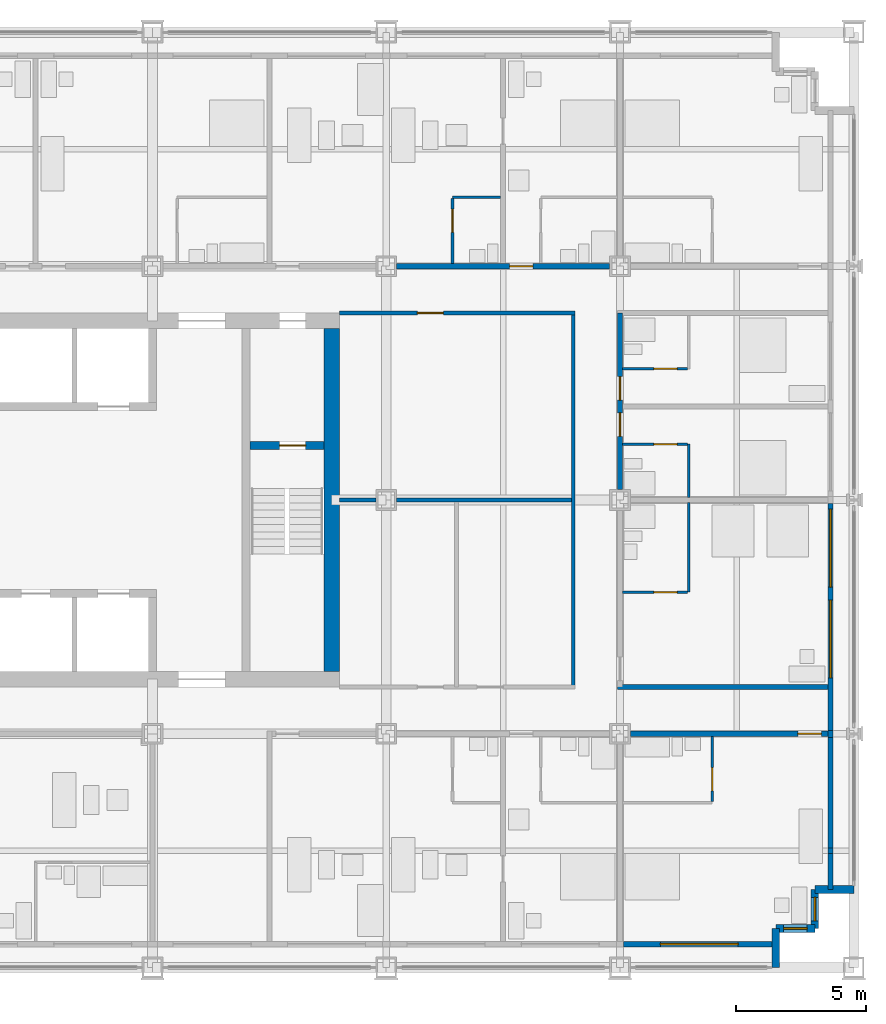
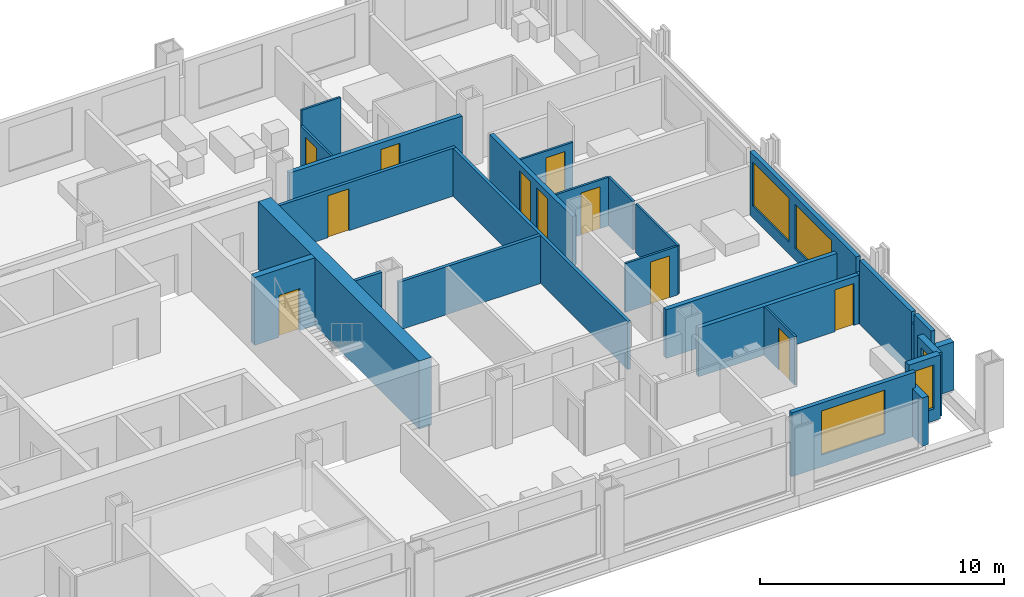
# One storey, part 13 of 18: 28 walls, 11 doors, 5 windows, 16 openings.
"""IFC4 building model written with IfcOpenShell, lengths in metres."""

from ifc_helpers import new_model, si_unit, direction, frame, frame_2d, origin, place, context, subcontext, project, spatial, rectangle, extrude, material, layer, layer_set, type_object, element, fill, save


model = new_model("IFC4")

# Units and contexts
model_context = context("Model", 3, precision=1e-05, world=origin(), true_north=direction((0.0, 1.0)))
body_context = subcontext(model_context, "Body", "Model", "MODEL_VIEW")
ifc_project = project(units=[si_unit("LENGTHUNIT", "METRE"), si_unit("AREAUNIT", "SQUARE_METRE"), si_unit("VOLUMEUNIT", "CUBIC_METRE"), si_unit("PLANEANGLEUNIT", "RADIAN"), si_unit("MASSUNIT", "GRAM", prefix="KILO")], contexts=[model_context])

# Site, building, storey
site_placement = place(None, origin())
site = spatial("IfcSite", under=ifc_project, at=site_placement, CompositionType="ELEMENT")
building_placement = place(site_placement, origin())
building = spatial("IfcBuilding", under=site, at=building_placement, Name="Loomwork Tower", CompositionType="ELEMENT")
storey_placement = place(building_placement, frame((0.0, 0.0, 75.60009765625)))
storey = spatial("IfcBuildingStorey", under=building, at=storey_placement, Name="L19", CompositionType="ELEMENT", Elevation=75.60009765625)

# Wall, opening, door
ifc_material_1 = material(Name="Concrete 14000 psi (97 MPa)", Category="concrete")
ifc_layer_1 = layer(ifc_material_1, 0.300048828125)
ifc_layer_set_1 = layer_set([ifc_layer_1], Name="Core shear wall 300")
wall_type_1 = type_object("IfcWallType", Name="Core shear wall 300", PredefinedType="SHEAR", material=ifc_layer_set_1)
wall_1_placement = place(storey_placement, frame((30.75, 20.10009765625, 0.0), z_axis=(0.0, 0.0, 1.0), x_axis=(1.0, 0.0, 0.0)))
wall_1 = element("IfcWall", 1, at=wall_1_placement, inside=storey, type_object=wall_type_1, Name="Stair B north wall L19", PredefinedType="SHEAR", context=body_context, shape_type="SweptSolid", body=[
    extrude(rectangle(XDim=2.85009765625, YDim=0.300048828125, at=frame_2d((1.425048828125, 0.0))), origin(), (0.0, 0.0, 1.0), 3.39990234375),
])
opening_1_placement = place(wall_1_placement, frame((1.14990234375, 0.0, 0.0)))
opening_1 = element("IfcOpeningElement", 2, at=opening_1_placement, cuts=wall_1, Name="Opening D4", PredefinedType="OPENING", context=body_context, shape_type="SweptSolid", body=[
    extrude(rectangle(XDim=1.0, YDim=2.10009765625, at=frame_2d((0.5, 1.050048828125))), frame((0.0, 0.159912109375, 0.0), z_axis=(0.0, -1.0, 0.0), x_axis=(1.0, 0.0, 0.0)), (0.0, 0.0, 1.0), 0.320068359375),
])
ifc_material_2 = material(Name="Hollow metal door and frame")
door_type_1 = type_object("IfcDoorType", Name="Stair door 1000", OperationType="SINGLE_SWING_RIGHT", PredefinedType="DOOR", material=ifc_material_2)
door_1_placement = place(opening_1_placement, frame((1.0, 0.0, 0.0), z_axis=(0.0, 0.0, 1.0), x_axis=(-1.0, 0.0, 0.0)))
door_1 = element("IfcDoor", 3, at=door_1_placement, inside=storey, type_object=door_type_1, Name="Stair B door", OperationType="SINGLE_SWING_LEFT", OverallHeight=2.10009765625, OverallWidth=1.0, PredefinedType="DOOR", context=body_context, shape_type="SweptSolid", body=[
    extrude(rectangle(XDim=1.0, YDim=2.10009765625, at=frame_2d((0.5, 1.050048828125))), frame((0.0, 0.02490234375, 0.0), z_axis=(0.0, -1.0, 0.0), x_axis=(1.0, 0.0, 0.0)), (0.0, 0.0, 1.0), 0.050048828125),
])
fill(opening_1, door_1)

# Wall
ifc_material_3 = material(Name="Concrete 14000 psi (97 MPa)", Category="concrete")
ifc_layer_2 = layer(ifc_material_3, 0.60009765625)
ifc_layer_set_2 = layer_set([ifc_layer_2], Name="Core shear wall 600")
wall_type_2 = type_object("IfcWallType", Name="Core shear wall 600", PredefinedType="SHEAR", material=ifc_layer_set_2)
wall_2_placement = place(storey_placement, frame((33.89990234375, 11.39990234375, 0.0), z_axis=(0.0, 0.0, 1.0), x_axis=(0.0, 1.0, 0.0)))
element("IfcWall", 4, at=wall_2_placement, inside=storey, type_object=wall_type_2, Name="Core wall east L19", PredefinedType="SHEAR", context=body_context, shape_type="SweptSolid", body=[
    extrude(rectangle(XDim=13.2001953125, YDim=0.60009765625, at=frame_2d((6.60009765625, 0.0))), origin(), (0.0, 0.0, 1.0), 3.39990234375),
])

# Wall, opening, door
ifc_material_4 = material(Name="Gypsum board on steel studs, one-hour", Category="steel")
ifc_layer_3 = layer(ifc_material_4, 0.199951171875)
ifc_layer_set_3 = layer_set([ifc_layer_3], Name="Corridor wall 200")
wall_type_3 = type_object("IfcWallType", Name="Corridor wall 200", PredefinedType="PARTITIONING", material=ifc_layer_set_3)
wall_3_placement = place(storey_placement, frame((45.39990234375, 9.0, 0.0), z_axis=(0.0, 0.0, 1.0), x_axis=(1.0, 0.0, 0.0)))
wall_3 = element("IfcWall", 5, at=wall_3_placement, inside=storey, type_object=wall_type_3, Name="South corridor wall 6", PredefinedType="PARTITIONING", context=body_context, shape_type="SweptSolid", body=[
    extrude(rectangle(XDim=7.60009765625, YDim=0.199951171875, at=frame_2d((3.800048828125, 0.0))), origin(), (0.0, 0.0, 1.0), 2.43798828125),
])
opening_2_placement = place(wall_3_placement, frame((6.449951171875, 0.0, 0.0)))
opening_2 = element("IfcOpeningElement", 6, at=opening_2_placement, cuts=wall_3, Name="Opening D1", PredefinedType="OPENING", context=body_context, shape_type="SweptSolid", body=[
    extrude(rectangle(XDim=0.89990234375, YDim=2.10009765625, at=frame_2d((0.449951171875, 1.050048828125))), frame((0.0, 0.10986328125, 0.0), z_axis=(0.0, -1.0, 0.0), x_axis=(1.0, 0.0, 0.0)), (0.0, 0.0, 1.0), 0.219970703125),
])
ifc_material_5 = material(Name="Hollow metal door and frame")
door_type_2 = type_object("IfcDoorType", Name="Guest room entry door 900", OperationType="SINGLE_SWING_LEFT", PredefinedType="DOOR", material=ifc_material_5)
door_2_placement = place(opening_2_placement, frame((0.89990234375, 0.0, 0.0), z_axis=(0.0, 0.0, 1.0), x_axis=(-1.0, 0.0, 0.0)))
door_2 = element("IfcDoor", 7, at=door_2_placement, inside=storey, type_object=door_type_2, Name="Guest room entry door L19 6", OperationType="SINGLE_SWING_LEFT", OverallHeight=2.10009765625, OverallWidth=0.89990234375, PredefinedType="DOOR", context=body_context, shape_type="SweptSolid", body=[
    extrude(rectangle(XDim=0.89990234375, YDim=2.10009765625, at=frame_2d((0.449951171875, 1.050048828125))), frame((0.0, 0.02490234375, 0.0), z_axis=(0.0, -1.0, 0.0), x_axis=(1.0, 0.0, 0.0)), (0.0, 0.0, 1.0), 0.050048828125),
])
fill(opening_2, door_2)

wall_4_placement = place(storey_placement, frame((36.39990234375, 27.0, 0.0), z_axis=(0.0, 0.0, 1.0), x_axis=(1.0, 0.0, 0.0)))
wall_4 = element("IfcWall", 8, at=wall_4_placement, inside=storey, type_object=wall_type_3, Name="North corridor wall 5", PredefinedType="PARTITIONING", context=body_context, shape_type="SweptSolid", body=[
    extrude(rectangle(XDim=8.2001953125, YDim=0.199951171875, at=frame_2d((4.10009765625, 0.0))), origin(), (0.0, 0.0, 1.0), 2.43798828125),
])
opening_3_placement = place(wall_4_placement, frame((4.35009765625, 0.0, 0.0)))
opening_3 = element("IfcOpeningElement", 9, at=opening_3_placement, cuts=wall_4, Name="Opening D1", PredefinedType="OPENING", context=body_context, shape_type="SweptSolid", body=[
    extrude(rectangle(XDim=0.89990234375, YDim=2.10009765625, at=frame_2d((0.449951171875, 1.050048828125))), frame((0.0, 0.10986328125, 0.0), z_axis=(0.0, -1.0, 0.0), x_axis=(1.0, 0.0, 0.0)), (0.0, 0.0, 1.0), 0.219970703125),
])
door_3_placement = place(opening_3_placement, origin())
door_3 = element("IfcDoor", 10, at=door_3_placement, inside=storey, type_object=door_type_2, Name="Guest room entry door L19 12", OperationType="SINGLE_SWING_LEFT", OverallHeight=2.10009765625, OverallWidth=0.89990234375, PredefinedType="DOOR", context=body_context, shape_type="SweptSolid", body=[
    extrude(rectangle(XDim=0.89990234375, YDim=2.10009765625, at=frame_2d((0.449951171875, 1.050048828125))), frame((0.0, 0.02490234375, 0.0), z_axis=(0.0, -1.0, 0.0), x_axis=(1.0, 0.0, 0.0)), (0.0, 0.0, 1.0), 0.050048828125),
])
fill(opening_3, door_3)

# Wall, openings, doors
wall_5_placement = place(storey_placement, frame((45.0, 18.39990234375, 0.0), z_axis=(0.0, 0.0, 1.0), x_axis=(0.0, 1.0, 0.0)))
wall_5 = element("IfcWall", 11, at=wall_5_placement, inside=storey, type_object=wall_type_3, Name="East corridor wall 2", PredefinedType="PARTITIONING", context=body_context, shape_type="SweptSolid", body=[
    extrude(rectangle(XDim=6.800048828125, YDim=0.199951171875, at=frame_2d((3.39990234375, 0.0))), origin(), (0.0, 0.0, 1.0), 2.43798828125),
])
opening_4_placement = place(wall_5_placement, frame((2.050048828125, 0.0, 0.0)))
opening_4 = element("IfcOpeningElement", 12, at=opening_4_placement, cuts=wall_5, Name="Opening D1", PredefinedType="OPENING", context=body_context, shape_type="SweptSolid", body=[
    extrude(rectangle(XDim=0.89990234375, YDim=2.10009765625, at=frame_2d((0.449951171875, 1.050048828125))), frame((0.0, 0.10986328125, 0.0), z_axis=(0.0, -1.0, 0.0), x_axis=(1.0, 0.0, 0.0)), (0.0, 0.0, 1.0), 0.219970703125),
])
opening_5_placement = place(wall_5_placement, frame((3.449951171875, 0.0, 0.0)))
opening_5 = element("IfcOpeningElement", 13, at=opening_5_placement, cuts=wall_5, Name="Opening D1", PredefinedType="OPENING", context=body_context, shape_type="SweptSolid", body=[
    extrude(rectangle(XDim=0.89990234375, YDim=2.10009765625, at=frame_2d((0.449951171875, 1.050048828125))), frame((0.0, 0.10986328125, 0.0), z_axis=(0.0, -1.0, 0.0), x_axis=(1.0, 0.0, 0.0)), (0.0, 0.0, 1.0), 0.219970703125),
])
door_4_placement = place(opening_4_placement, frame((0.89990234375, 0.0, 0.0), z_axis=(0.0, 0.0, 1.0), x_axis=(-1.0, 0.0, 0.0)))
door_4 = element("IfcDoor", 14, at=door_4_placement, inside=storey, type_object=door_type_2, Name="Guest room entry door L19 17", OperationType="SINGLE_SWING_LEFT", OverallHeight=2.10009765625, OverallWidth=0.89990234375, PredefinedType="DOOR", context=body_context, shape_type="SweptSolid", body=[
    extrude(rectangle(XDim=0.89990234375, YDim=2.10009765625, at=frame_2d((0.449951171875, 1.050048828125))), frame((0.0, 0.02490234375, 0.0), z_axis=(0.0, -1.0, 0.0), x_axis=(1.0, 0.0, 0.0)), (0.0, 0.0, 1.0), 0.050048828125),
])
fill(opening_4, door_4)
door_5_placement = place(opening_5_placement, frame((0.89990234375, 0.0, 0.0), z_axis=(0.0, 0.0, 1.0), x_axis=(-1.0, 0.0, 0.0)))
door_5 = element("IfcDoor", 15, at=door_5_placement, inside=storey, type_object=door_type_2, Name="Guest room entry door L19 18", OperationType="SINGLE_SWING_RIGHT", OverallHeight=2.10009765625, OverallWidth=0.89990234375, PredefinedType="DOOR", context=body_context, shape_type="SweptSolid", body=[
    extrude(rectangle(XDim=0.89990234375, YDim=2.10009765625, at=frame_2d((0.449951171875, 1.050048828125))), frame((0.0, 0.02490234375, 0.0), z_axis=(0.0, -1.0, 0.0), x_axis=(1.0, 0.0, 0.0)), (0.0, 0.0, 1.0), 0.050048828125),
])
fill(opening_5, door_5)

# Wall
wall_6_placement = place(storey_placement, frame((44.89990234375, 10.800048828125, 0.0), z_axis=(0.0, 0.0, 1.0), x_axis=(1.0, 0.0, 0.0)))
element("IfcWall", 16, at=wall_6_placement, inside=storey, type_object=wall_type_3, Name="East band end wall S", PredefinedType="PARTITIONING", context=body_context, shape_type="SweptSolid", body=[
    extrude(rectangle(XDim=8.10009765625, YDim=0.199951171875, at=frame_2d((4.050048828125, 0.0))), origin(), (0.0, 0.0, 1.0), 2.43798828125),
])

# Wall, opening, door
ifc_material_6 = material(Name="Cement board on steel studs", Category="steel")
ifc_layer_4 = layer(ifc_material_6, 0.10009765625)
ifc_layer_set_4 = layer_set([ifc_layer_4], Name="En-suite partition 100")
wall_type_4 = type_object("IfcWallType", Name="En-suite partition 100", PredefinedType="PARTITIONING", material=ifc_layer_set_4)
wall_7_placement = place(storey_placement, frame((48.550048828125, 8.89990234375, 0.0), z_axis=(0.0, 0.0, 1.0), x_axis=(0.0, -1.0, 0.0)))
wall_7 = element("IfcWall", 17, at=wall_7_placement, inside=storey, type_object=wall_type_4, Name="En-suite side wall L19 room 6", PredefinedType="PARTITIONING", context=body_context, shape_type="SweptSolid", body=[
    extrude(rectangle(XDim=2.5, YDim=0.10009765625, at=frame_2d((1.25, 0.0))), origin(), (0.0, 0.0, 1.0), 2.43798828125),
])
opening_6_placement = place(wall_7_placement, frame((1.199951171875, 0.0, 0.0)))
opening_6 = element("IfcOpeningElement", 18, at=opening_6_placement, cuts=wall_7, Name="Opening D2", PredefinedType="OPENING", context=body_context, shape_type="SweptSolid", body=[
    extrude(rectangle(XDim=0.89990234375, YDim=2.10009765625, at=frame_2d((0.449951171875, 1.050048828125))), frame((0.0, 0.06005859375, 0.0), z_axis=(0.0, -1.0, 0.0), x_axis=(1.0, 0.0, 0.0)), (0.0, 0.0, 1.0), 0.1201171875),
])
ifc_material_7 = material(Name="Hollow metal door and frame")
door_type_3 = type_object("IfcDoorType", Name="En-suite door 900", OperationType="SINGLE_SWING_LEFT", PredefinedType="DOOR", material=ifc_material_7)
door_6_placement = place(opening_6_placement, frame((0.89990234375, 0.0, 0.0), z_axis=(0.0, 0.0, 1.0), x_axis=(-1.0, 0.0, 0.0)))
door_6 = element("IfcDoor", 19, at=door_6_placement, inside=storey, type_object=door_type_3, Name="En-suite door room 6", OperationType="SINGLE_SWING_LEFT", OverallHeight=2.10009765625, OverallWidth=0.89990234375, PredefinedType="DOOR", context=body_context, shape_type="SweptSolid", body=[
    extrude(rectangle(XDim=0.89990234375, YDim=2.10009765625, at=frame_2d((0.449951171875, 1.050048828125))), frame((0.0, 0.02490234375, 0.0), z_axis=(0.0, -1.0, 0.0), x_axis=(1.0, 0.0, 0.0)), (0.0, 0.0, 1.0), 0.050048828125),
])
fill(opening_6, door_6)

# Wall
wall_8_placement = place(storey_placement, frame((38.550048828125, 29.64990234375, 0.0), z_axis=(0.0, 0.0, 1.0), x_axis=(1.0, 0.0, 0.0)))
element("IfcWall", 20, at=wall_8_placement, inside=storey, type_object=wall_type_4, Name="En-suite wall L19 room 11", PredefinedType="PARTITIONING", context=body_context, shape_type="SweptSolid", body=[
    extrude(rectangle(XDim=1.849853515625, YDim=0.10009765625, at=frame_2d((0.9248046875, 0.0))), origin(), (0.0, 0.0, 1.0), 3.199951171875),
])

# Wall, opening, door
wall_9_placement = place(storey_placement, frame((38.550048828125, 27.10009765625, 0.0), z_axis=(0.0, 0.0, 1.0), x_axis=(0.0, 1.0, 0.0)))
wall_9 = element("IfcWall", 21, at=wall_9_placement, inside=storey, type_object=wall_type_4, Name="En-suite side wall L19 room 11", PredefinedType="PARTITIONING", context=body_context, shape_type="SweptSolid", body=[
    extrude(rectangle(XDim=2.5, YDim=0.10009765625, at=frame_2d((1.25, 0.0))), origin(), (0.0, 0.0, 1.0), 2.43798828125),
])
opening_7_placement = place(wall_9_placement, frame((1.199951171875, 0.0, 0.0)))
opening_7 = element("IfcOpeningElement", 22, at=opening_7_placement, cuts=wall_9, Name="Opening D2", PredefinedType="OPENING", context=body_context, shape_type="SweptSolid", body=[
    extrude(rectangle(XDim=0.89990234375, YDim=2.10009765625, at=frame_2d((0.449951171875, 1.050048828125))), frame((0.0, 0.06005859375, 0.0), z_axis=(0.0, -1.0, 0.0), x_axis=(1.0, 0.0, 0.0)), (0.0, 0.0, 1.0), 0.1201171875),
])
door_7_placement = place(opening_7_placement, frame((0.89990234375, 0.0, 0.0), z_axis=(0.0, 0.0, 1.0), x_axis=(-1.0, 0.0, 0.0)))
door_7 = element("IfcDoor", 23, at=door_7_placement, inside=storey, type_object=door_type_3, Name="Suite powder room door room 11", OperationType="SINGLE_SWING_LEFT", OverallHeight=2.10009765625, OverallWidth=0.89990234375, PredefinedType="DOOR", context=body_context, shape_type="SweptSolid", body=[
    extrude(rectangle(XDim=0.89990234375, YDim=2.10009765625, at=frame_2d((0.449951171875, 1.050048828125))), frame((0.0, 0.02490234375, 0.0), z_axis=(0.0, -1.0, 0.0), x_axis=(1.0, 0.0, 0.0)), (0.0, 0.0, 1.0), 0.050048828125),
])
fill(opening_7, door_7)

# Wall
wall_10_placement = place(storey_placement, frame((47.64990234375, 14.449951171875, 0.0), z_axis=(0.0, 0.0, 1.0), x_axis=(0.0, 1.0, 0.0)))
element("IfcWall", 24, at=wall_10_placement, inside=storey, type_object=wall_type_4, Name="En-suite wall L19 room 16", PredefinedType="PARTITIONING", context=body_context, shape_type="SweptSolid", body=[
    extrude(rectangle(XDim=3.449951171875, YDim=0.10009765625, at=frame_2d((1.72509765625, 0.0))), origin(), (0.0, 0.0, 1.0), 2.43798828125),
])

# Wall, opening, door
wall_11_placement = place(storey_placement, frame((45.10009765625, 14.449951171875, 0.0), z_axis=(0.0, 0.0, 1.0), x_axis=(1.0, 0.0, 0.0)))
wall_11 = element("IfcWall", 25, at=wall_11_placement, inside=storey, type_object=wall_type_4, Name="En-suite side wall L19 room 16", PredefinedType="PARTITIONING", context=body_context, shape_type="SweptSolid", body=[
    extrude(rectangle(XDim=2.5, YDim=0.10009765625, at=frame_2d((1.25, 0.0))), origin(), (0.0, 0.0, 1.0), 2.43798828125),
])
opening_8_placement = place(wall_11_placement, frame((1.199951171875, 0.0, 0.0)))
opening_8 = element("IfcOpeningElement", 26, at=opening_8_placement, cuts=wall_11, Name="Opening D2", PredefinedType="OPENING", context=body_context, shape_type="SweptSolid", body=[
    extrude(rectangle(XDim=0.89990234375, YDim=2.10009765625, at=frame_2d((0.449951171875, 1.050048828125))), frame((0.0, 0.06005859375, 0.0), z_axis=(0.0, -1.0, 0.0), x_axis=(1.0, 0.0, 0.0)), (0.0, 0.0, 1.0), 0.1201171875),
])
door_8_placement = place(opening_8_placement, origin())
door_8 = element("IfcDoor", 27, at=door_8_placement, inside=storey, type_object=door_type_3, Name="En-suite door room 16", OperationType="SINGLE_SWING_RIGHT", OverallHeight=2.10009765625, OverallWidth=0.89990234375, PredefinedType="DOOR", context=body_context, shape_type="SweptSolid", body=[
    extrude(rectangle(XDim=0.89990234375, YDim=2.10009765625, at=frame_2d((0.449951171875, 1.050048828125))), frame((0.0, 0.02490234375, 0.0), z_axis=(0.0, -1.0, 0.0), x_axis=(1.0, 0.0, 0.0)), (0.0, 0.0, 1.0), 0.050048828125),
])
fill(opening_8, door_8)

# Wall
wall_12_placement = place(storey_placement, frame((47.64990234375, 18.10009765625, 0.0), z_axis=(0.0, 0.0, 1.0), x_axis=(0.0, 1.0, 0.0)))
element("IfcWall", 28, at=wall_12_placement, inside=storey, type_object=wall_type_4, Name="En-suite wall L19 room 17", PredefinedType="PARTITIONING", context=body_context, shape_type="SweptSolid", body=[
    extrude(rectangle(XDim=2.0498046875, YDim=0.10009765625, at=frame_2d((1.02490234375, 0.0))), origin(), (0.0, 0.0, 1.0), 2.43798828125),
])

# Wall, opening, door
wall_13_placement = place(storey_placement, frame((45.10009765625, 20.14990234375, 0.0), z_axis=(0.0, 0.0, 1.0), x_axis=(1.0, 0.0, 0.0)))
wall_13 = element("IfcWall", 29, at=wall_13_placement, inside=storey, type_object=wall_type_4, Name="En-suite side wall L19 room 17", PredefinedType="PARTITIONING", context=body_context, shape_type="SweptSolid", body=[
    extrude(rectangle(XDim=2.5, YDim=0.10009765625, at=frame_2d((1.25, 0.0))), origin(), (0.0, 0.0, 1.0), 2.43798828125),
])
opening_9_placement = place(wall_13_placement, frame((1.199951171875, 0.0, 0.0)))
opening_9 = element("IfcOpeningElement", 30, at=opening_9_placement, cuts=wall_13, Name="Opening D2", PredefinedType="OPENING", context=body_context, shape_type="SweptSolid", body=[
    extrude(rectangle(XDim=0.89990234375, YDim=2.10009765625, at=frame_2d((0.449951171875, 1.050048828125))), frame((0.0, 0.06005859375, 0.0), z_axis=(0.0, -1.0, 0.0), x_axis=(1.0, 0.0, 0.0)), (0.0, 0.0, 1.0), 0.1201171875),
])
door_9_placement = place(opening_9_placement, frame((0.89990234375, 0.0, 0.0), z_axis=(0.0, 0.0, 1.0), x_axis=(-1.0, 0.0, 0.0)))
door_9 = element("IfcDoor", 31, at=door_9_placement, inside=storey, type_object=door_type_3, Name="En-suite door room 17", OperationType="SINGLE_SWING_LEFT", OverallHeight=2.10009765625, OverallWidth=0.89990234375, PredefinedType="DOOR", context=body_context, shape_type="SweptSolid", body=[
    extrude(rectangle(XDim=0.89990234375, YDim=2.10009765625, at=frame_2d((0.449951171875, 1.050048828125))), frame((0.0, 0.02490234375, 0.0), z_axis=(0.0, -1.0, 0.0), x_axis=(1.0, 0.0, 0.0)), (0.0, 0.0, 1.0), 0.050048828125),
])
fill(opening_9, door_9)

wall_14_placement = place(storey_placement, frame((45.10009765625, 23.050048828125, 0.0), z_axis=(0.0, 0.0, 1.0), x_axis=(1.0, 0.0, 0.0)))
wall_14 = element("IfcWall", 32, at=wall_14_placement, inside=storey, type_object=wall_type_4, Name="En-suite side wall L19 room 18", PredefinedType="PARTITIONING", context=body_context, shape_type="SweptSolid", body=[
    extrude(rectangle(XDim=2.5, YDim=0.10009765625, at=frame_2d((1.25, 0.0))), origin(), (0.0, 0.0, 1.0), 2.43798828125),
])
opening_10_placement = place(wall_14_placement, frame((1.199951171875, 0.0, 0.0)))
opening_10 = element("IfcOpeningElement", 33, at=opening_10_placement, cuts=wall_14, Name="Opening D3", PredefinedType="OPENING", context=body_context, shape_type="SweptSolid", body=[
    extrude(rectangle(XDim=0.89990234375, YDim=2.10009765625, at=frame_2d((0.449951171875, 1.050048828125))), frame((0.0, 0.06005859375, 0.0), z_axis=(0.0, -1.0, 0.0), x_axis=(1.0, 0.0, 0.0)), (0.0, 0.0, 1.0), 0.1201171875),
])
ifc_material_8 = material(Name="Hollow metal door and frame")
door_type_4 = type_object("IfcDoorType", Name="Accessible en-suite door 900", OperationType="SLIDING_TO_LEFT", PredefinedType="DOOR", material=ifc_material_8)
door_10_placement = place(opening_10_placement, origin())
door_10 = element("IfcDoor", 34, at=door_10_placement, inside=storey, type_object=door_type_4, Name="Accessible en-suite door room 18", OperationType="SLIDING_TO_LEFT", OverallHeight=2.10009765625, OverallWidth=0.89990234375, PredefinedType="DOOR", context=body_context, shape_type="SweptSolid", body=[
    extrude(rectangle(XDim=0.89990234375, YDim=2.10009765625, at=frame_2d((0.449951171875, 1.050048828125))), frame((0.0, 0.02490234375, 0.0), z_axis=(0.0, -1.0, 0.0), x_axis=(1.0, 0.0, 0.0)), (0.0, 0.0, 1.0), 0.050048828125),
])
fill(opening_10, door_10)

# Wall
ifc_material_9 = material(Name="Insulated steel stud wall with gypsum lining", Category="steel")
ifc_layer_5 = layer(ifc_material_9, 0.199951171875)
ifc_layer_set_5 = layer_set([ifc_layer_5], Name="Inner skin wall 200")
wall_type_5 = type_object("IfcWallType", Name="Inner skin wall 200", PredefinedType="SOLIDWALL", material=ifc_layer_set_5)
wall_15_placement = place(storey_placement, frame((53.10009765625, 3.0, 0.0), z_axis=(0.0, 0.0, 1.0), x_axis=(0.0, 1.0, 0.0)))
element("IfcWall", 35, at=wall_15_placement, inside=storey, type_object=wall_type_5, Name="Inner skin wall E", PredefinedType="SOLIDWALL", context=body_context, shape_type="SweptSolid", body=[
    extrude(rectangle(XDim=1.392578125, YDim=0.199951171875, at=frame_2d((0.6962890625, 0.0))), origin(), (0.0, 0.0, 1.0), 3.199951171875),
])

# Wall, opening, window
wall_16_placement = place(storey_placement, frame((45.135498046875, 0.89990234375, 0.0), z_axis=(0.0, 0.0, 1.0), x_axis=(1.0, 0.0, 0.0)))
wall_16 = element("IfcWall", 36, at=wall_16_placement, inside=storey, type_object=wall_type_5, Name="Inner skin wall S bay 11", PredefinedType="SOLIDWALL", context=body_context, shape_type="SweptSolid", body=[
    extrude(rectangle(XDim=5.864501953125, YDim=0.199951171875, at=frame_2d((2.93212890625, 0.0))), origin(), (0.0, 0.0, 1.0), 3.199951171875),
])
opening_11_placement = place(wall_16_placement, frame((1.41455078125, 0.0, 0.60009765625)))
opening_11 = element("IfcOpeningElement", 37, at=opening_11_placement, cuts=wall_16, Name="Opening CH1", PredefinedType="OPENING", context=body_context, shape_type="SweptSolid", body=[
    extrude(rectangle(XDim=3.0, YDim=2.199951171875, at=frame_2d((1.5, 1.10009765625))), frame((0.0, 0.10986328125, 0.0), z_axis=(0.0, -1.0, 0.0), x_axis=(1.0, 0.0, 0.0)), (0.0, 0.0, 1.0), 0.219970703125),
])
ifc_material_10 = material(Name="Aluminium frame with clear insulated glass", Category="aluminium")
window_type_1 = type_object("IfcWindowType", Name="Chicago window 3000", PartitioningType="TRIPLE_PANEL_VERTICAL", PredefinedType="WINDOW", material=ifc_material_10)
window_1_placement = place(opening_11_placement, origin())
window_1 = element("IfcWindow", 38, at=window_1_placement, inside=storey, type_object=window_type_1, Name="Chicago window L19 bay 6", OverallHeight=2.199951171875, OverallWidth=3.0, PartitioningType="TRIPLE_PANEL_VERTICAL", PredefinedType="WINDOW", context=body_context, shape_type="SweptSolid", body=[
    extrude(rectangle(XDim=3.0, YDim=2.199951171875, at=frame_2d((1.5, 1.10009765625))), frame((0.0, 0.030029296875, 0.0), z_axis=(0.0, -1.0, 0.0), x_axis=(1.0, 0.0, 0.0)), (0.0, 0.0, 1.0), 0.06005859375),
])
fill(opening_11, window_1)

# Walls
wall_17_placement = place(storey_placement, frame((53.10009765625, 4.392578125, 0.0), z_axis=(0.0, 0.0, 1.0), x_axis=(0.0, 1.0, 0.0)))
element("IfcWall", 39, at=wall_17_placement, inside=storey, type_object=wall_type_5, Name="Inner skin wall E bay 2", PredefinedType="SOLIDWALL", context=body_context, shape_type="SweptSolid", body=[
    extrude(rectangle(XDim=0.21484375, YDim=0.199951171875, at=frame_2d((0.107421875, 0.0))), origin(), (0.0, 0.0, 1.0), 2.660888671875),
])
wall_18_placement = place(storey_placement, frame((53.10009765625, 4.607421875, 0.0), z_axis=(0.0, 0.0, 1.0), x_axis=(0.0, 1.0, 0.0)))
element("IfcWall", 40, at=wall_18_placement, inside=storey, type_object=wall_type_5, Name="Inner skin wall E bay 3", PredefinedType="SOLIDWALL", context=body_context, shape_type="SweptSolid", body=[
    extrude(rectangle(XDim=4.25732421875, YDim=0.199951171875, at=frame_2d((2.128662109375, 0.0))), origin(), (0.0, 0.0, 1.0), 3.199951171875),
])
wall_19_placement = place(storey_placement, frame((53.10009765625, 8.86474609375, 0.0), z_axis=(0.0, 0.0, 1.0), x_axis=(0.0, 1.0, 0.0)))
element("IfcWall", 41, at=wall_19_placement, inside=storey, type_object=wall_type_5, Name="Inner skin wall E bay 4", PredefinedType="SOLIDWALL", context=body_context, shape_type="SweptSolid", body=[
    extrude(rectangle(XDim=0.2705078125, YDim=0.199951171875, at=frame_2d((0.13525390625, 0.0))), origin(), (0.0, 0.0, 1.0), 2.43798828125),
])

# Wall, openings, windows
wall_20_placement = place(storey_placement, frame((53.10009765625, 9.13525390625, 0.0), z_axis=(0.0, 0.0, 1.0), x_axis=(0.0, 1.0, 0.0)))
wall_20 = element("IfcWall", 42, at=wall_20_placement, inside=storey, type_object=wall_type_5, Name="Inner skin wall E bay 5", PredefinedType="SOLIDWALL", context=body_context, shape_type="SweptSolid", body=[
    extrude(rectangle(XDim=8.729248046875, YDim=0.199951171875, at=frame_2d((4.36474609375, 0.0))), origin(), (0.0, 0.0, 1.0), 3.199951171875),
])
opening_12_placement = place(wall_20_placement, frame((2.0146484375, 0.0, 0.60009765625)))
opening_12 = element("IfcOpeningElement", 43, at=opening_12_placement, cuts=wall_20, Name="Opening CH1", PredefinedType="OPENING", context=body_context, shape_type="SweptSolid", body=[
    extrude(rectangle(XDim=3.0, YDim=2.199951171875, at=frame_2d((1.5, 1.10009765625))), frame((0.0, 0.10986328125, 0.0), z_axis=(0.0, -1.0, 0.0), x_axis=(1.0, 0.0, 0.0)), (0.0, 0.0, 1.0), 0.219970703125),
])
opening_13_placement = place(wall_20_placement, frame((5.5146484375, 0.0, 0.60009765625)))
opening_13 = element("IfcOpeningElement", 44, at=opening_13_placement, cuts=wall_20, Name="Opening CH1", PredefinedType="OPENING", context=body_context, shape_type="SweptSolid", body=[
    extrude(rectangle(XDim=3.0, YDim=2.199951171875, at=frame_2d((1.5, 1.10009765625))), frame((0.0, 0.10986328125, 0.0), z_axis=(0.0, -1.0, 0.0), x_axis=(1.0, 0.0, 0.0)), (0.0, 0.0, 1.0), 0.219970703125),
])
window_2_placement = place(opening_12_placement, origin())
window_2 = element("IfcWindow", 45, at=window_2_placement, inside=storey, type_object=window_type_1, Name="Chicago window L19 bay 15", OverallHeight=2.199951171875, OverallWidth=3.0, PartitioningType="TRIPLE_PANEL_VERTICAL", PredefinedType="WINDOW", context=body_context, shape_type="SweptSolid", body=[
    extrude(rectangle(XDim=3.0, YDim=2.199951171875, at=frame_2d((1.5, 1.10009765625))), frame((0.0, 0.030029296875, 0.0), z_axis=(0.0, -1.0, 0.0), x_axis=(1.0, 0.0, 0.0)), (0.0, 0.0, 1.0), 0.06005859375),
])
fill(opening_12, window_2)
window_3_placement = place(opening_13_placement, origin())
window_3 = element("IfcWindow", 46, at=window_3_placement, inside=storey, type_object=window_type_1, Name="Chicago window L19 bay 15", OverallHeight=2.199951171875, OverallWidth=3.0, PartitioningType="TRIPLE_PANEL_VERTICAL", PredefinedType="WINDOW", context=body_context, shape_type="SweptSolid", body=[
    extrude(rectangle(XDim=3.0, YDim=2.199951171875, at=frame_2d((1.5, 1.10009765625))), frame((0.0, 0.030029296875, 0.0), z_axis=(0.0, -1.0, 0.0), x_axis=(1.0, 0.0, 0.0)), (0.0, 0.0, 1.0), 0.06005859375),
])
fill(opening_13, window_3)

# Wall
ifc_material_11 = material(Name="Limestone on concrete masonry", Category="masonry")
ifc_layer_6 = layer(ifc_material_11, 0.300048828125)
ifc_layer_set_6 = layer_set([ifc_layer_6], Name="Limestone corner wall 300")
wall_type_6 = type_object("IfcWallType", Name="Limestone corner wall 300", PredefinedType="SOLIDWALL", material=ifc_layer_set_6)
wall_21_placement = place(storey_placement, frame((51.0, 0.0, 0.0), z_axis=(0.0, 0.0, 1.0), x_axis=(0.0, 1.0, 0.0)))
element("IfcWall", 47, at=wall_21_placement, inside=storey, type_object=wall_type_6, Name="Stone corner wall SE 1", PredefinedType="SOLIDWALL", context=body_context, shape_type="SweptSolid", body=[
    extrude(rectangle(XDim=1.5, YDim=0.300048828125, at=frame_2d((0.75, 0.0))), origin(), (0.0, 0.0, 1.0), 2.419921875),
])

# Wall, opening, window
wall_22_placement = place(storey_placement, frame((51.0, 1.5, 0.0), z_axis=(0.0, 0.0, 1.0), x_axis=(1.0, 0.0, 0.0)))
wall_22 = element("IfcWall", 48, at=wall_22_placement, inside=storey, type_object=wall_type_6, Name="Stone corner wall SE 2", PredefinedType="SOLIDWALL", context=body_context, shape_type="SweptSolid", body=[
    extrude(rectangle(XDim=1.5, YDim=0.300048828125, at=frame_2d((0.75, 0.0))), origin(), (0.0, 0.0, 1.0), 3.199951171875),
])
opening_14_placement = place(wall_22_placement, frame((0.300048828125, 0.0, 0.60009765625)))
opening_14 = element("IfcOpeningElement", 49, at=opening_14_placement, cuts=wall_22, Name="Opening CH2", PredefinedType="OPENING", context=body_context, shape_type="SweptSolid", body=[
    extrude(rectangle(XDim=0.89990234375, YDim=2.199951171875, at=frame_2d((0.449951171875, 1.10009765625))), frame((0.0, 0.159912109375, 0.0), z_axis=(0.0, -1.0, 0.0), x_axis=(1.0, 0.0, 0.0)), (0.0, 0.0, 1.0), 0.320068359375),
])
ifc_material_12 = material(Name="Aluminium frame with clear insulated glass", Category="aluminium")
window_type_2 = type_object("IfcWindowType", Name="Corner window 900", PartitioningType="SINGLE_PANEL", PredefinedType="WINDOW", material=ifc_material_12)
window_4_placement = place(opening_14_placement, origin())
window_4 = element("IfcWindow", 50, at=window_4_placement, inside=storey, type_object=window_type_2, Name="Corner window SE", OverallHeight=2.199951171875, OverallWidth=0.89990234375, PartitioningType="SINGLE_PANEL", PredefinedType="WINDOW", context=body_context, shape_type="SweptSolid", body=[
    extrude(rectangle(XDim=0.89990234375, YDim=2.199951171875, at=frame_2d((0.449951171875, 1.10009765625))), frame((0.0, 0.030029296875, 0.0), z_axis=(0.0, -1.0, 0.0), x_axis=(1.0, 0.0, 0.0)), (0.0, 0.0, 1.0), 0.06005859375),
])
fill(opening_14, window_4)

wall_23_placement = place(storey_placement, frame((52.5, 1.5, 0.0), z_axis=(0.0, 0.0, 1.0), x_axis=(0.0, 1.0, 0.0)))
wall_23 = element("IfcWall", 51, at=wall_23_placement, inside=storey, type_object=wall_type_6, Name="Stone corner wall SE 3", PredefinedType="SOLIDWALL", context=body_context, shape_type="SweptSolid", body=[
    extrude(rectangle(XDim=1.5, YDim=0.300048828125, at=frame_2d((0.75, 0.0))), origin(), (0.0, 0.0, 1.0), 3.199951171875),
])
opening_15_placement = place(wall_23_placement, frame((0.300048828125, 0.0, 0.60009765625)))
opening_15 = element("IfcOpeningElement", 52, at=opening_15_placement, cuts=wall_23, Name="Opening CH2", PredefinedType="OPENING", context=body_context, shape_type="SweptSolid", body=[
    extrude(rectangle(XDim=0.89990234375, YDim=2.199951171875, at=frame_2d((0.449951171875, 1.10009765625))), frame((0.0, 0.159912109375, 0.0), z_axis=(0.0, -1.0, 0.0), x_axis=(1.0, 0.0, 0.0)), (0.0, 0.0, 1.0), 0.320068359375),
])
window_5_placement = place(opening_15_placement, origin())
window_5 = element("IfcWindow", 53, at=window_5_placement, inside=storey, type_object=window_type_2, Name="Corner window SE", OverallHeight=2.199951171875, OverallWidth=0.89990234375, PartitioningType="SINGLE_PANEL", PredefinedType="WINDOW", context=body_context, shape_type="SweptSolid", body=[
    extrude(rectangle(XDim=0.89990234375, YDim=2.199951171875, at=frame_2d((0.449951171875, 1.10009765625))), frame((0.0, 0.030029296875, 0.0), z_axis=(0.0, -1.0, 0.0), x_axis=(1.0, 0.0, 0.0)), (0.0, 0.0, 1.0), 0.06005859375),
])
fill(opening_15, window_5)

# Wall
wall_24_placement = place(storey_placement, frame((52.5, 3.0, 0.0), z_axis=(0.0, 0.0, 1.0), x_axis=(1.0, 0.0, 0.0)))
element("IfcWall", 54, at=wall_24_placement, inside=storey, type_object=wall_type_6, Name="Stone corner wall SE 4", PredefinedType="SOLIDWALL", context=body_context, shape_type="SweptSolid", body=[
    extrude(rectangle(XDim=1.5, YDim=0.300048828125, at=frame_2d((0.75, 0.0))), origin(), (0.0, 0.0, 1.0), 2.419921875),
])

# Wall, opening, door
ifc_material_13 = material(Name="Gypsum board on steel studs, one-hour", Category="steel")
ifc_layer_7 = layer(ifc_material_13, 0.14990234375)
ifc_layer_set_7 = layer_set([ifc_layer_7], Name="Service partition 150")
wall_type_7 = type_object("IfcWallType", Name="Service partition 150", PredefinedType="PARTITIONING", material=ifc_layer_set_7)
wall_25_placement = place(storey_placement, frame((34.199951171875, 25.199951171875, 0.0), z_axis=(0.0, 0.0, 1.0), x_axis=(1.0, 0.0, 0.0)))
wall_25 = element("IfcWall", 55, at=wall_25_placement, inside=storey, type_object=wall_type_7, Name="Service block wall N", PredefinedType="PARTITIONING", context=body_context, shape_type="SweptSolid", body=[
    extrude(rectangle(XDim=9.074951171875, YDim=0.14990234375, at=frame_2d((4.53759765625, 0.0))), origin(), (0.0, 0.0, 1.0), 2.40380859375),
])
opening_16_placement = place(wall_25_placement, frame((3.0, 0.0, 0.0)))
opening_16 = element("IfcOpeningElement", 56, at=opening_16_placement, cuts=wall_25, Name="Opening D5", PredefinedType="OPENING", context=body_context, shape_type="SweptSolid", body=[
    extrude(rectangle(XDim=1.0, YDim=2.10009765625, at=frame_2d((0.5, 1.050048828125))), frame((0.0, 0.0849609375, 0.0), z_axis=(0.0, -1.0, 0.0), x_axis=(1.0, 0.0, 0.0)), (0.0, 0.0, 1.0), 0.169921875),
])
ifc_material_14 = material(Name="Hollow metal door and frame")
door_type_5 = type_object("IfcDoorType", Name="Service door 1000", OperationType="SINGLE_SWING_LEFT", PredefinedType="DOOR", material=ifc_material_14)
door_11_placement = place(opening_16_placement, frame((1.0, 0.0, 0.0), z_axis=(0.0, 0.0, 1.0), x_axis=(-1.0, 0.0, 0.0)))
door_11 = element("IfcDoor", 57, at=door_11_placement, inside=storey, type_object=door_type_5, Name="Riser room door", OperationType="SINGLE_SWING_LEFT", OverallHeight=2.10009765625, OverallWidth=1.0, PredefinedType="DOOR", context=body_context, shape_type="SweptSolid", body=[
    extrude(rectangle(XDim=1.0, YDim=2.10009765625, at=frame_2d((0.5, 1.050048828125))), frame((0.0, 0.02490234375, 0.0), z_axis=(0.0, -1.0, 0.0), x_axis=(1.0, 0.0, 0.0)), (0.0, 0.0, 1.0), 0.050048828125),
])
fill(opening_16, door_11)

# Walls
wall_26_placement = place(storey_placement, frame((43.199951171875, 10.800048828125, 0.0), z_axis=(0.0, 0.0, 1.0), x_axis=(0.0, 1.0, 0.0)))
element("IfcWall", 58, at=wall_26_placement, inside=storey, type_object=wall_type_7, Name="Service block east wall", PredefinedType="PARTITIONING", context=body_context, shape_type="SweptSolid", body=[
    extrude(rectangle(XDim=14.39990234375, YDim=0.14990234375, at=frame_2d((7.199951171875, 0.0))), origin(), (0.0, 0.0, 1.0), 2.40380859375),
])
wall_27_placement = place(storey_placement, frame((34.199951171875, 18.0, 0.0), z_axis=(0.0, 0.0, 1.0), x_axis=(1.0, 0.0, 0.0)))
element("IfcWall", 59, at=wall_27_placement, inside=storey, type_object=wall_type_7, Name="Service block divider", PredefinedType="PARTITIONING", context=body_context, shape_type="SweptSolid", body=[
    extrude(rectangle(XDim=1.400146484375, YDim=0.14990234375, at=frame_2d((0.7001953125, 0.0))), origin(), (0.0, 0.0, 1.0), 3.199951171875),
])
wall_28_placement = place(storey_placement, frame((36.39990234375, 18.0, 0.0), z_axis=(0.0, 0.0, 1.0), x_axis=(1.0, 0.0, 0.0)))
element("IfcWall", 60, at=wall_28_placement, inside=storey, type_object=wall_type_7, Name="Service block divider", PredefinedType="PARTITIONING", context=body_context, shape_type="SweptSolid", body=[
    extrude(rectangle(XDim=6.72509765625, YDim=0.14990234375, at=frame_2d((3.362548828125, 0.0))), origin(), (0.0, 0.0, 1.0), 2.40478515625),
])

save(model, "model.ifc")
